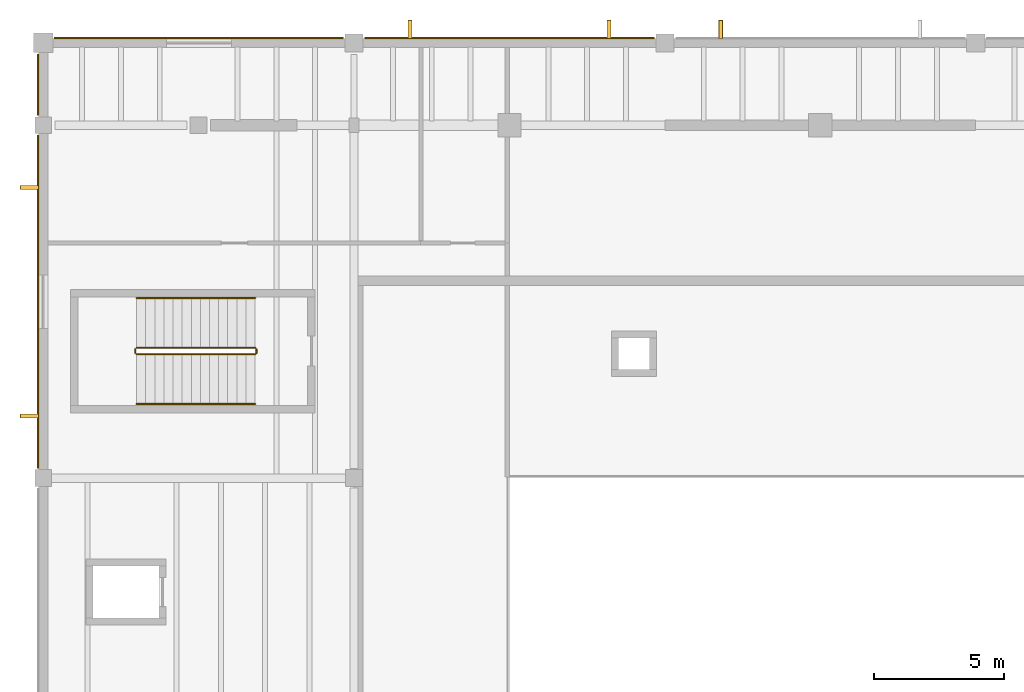
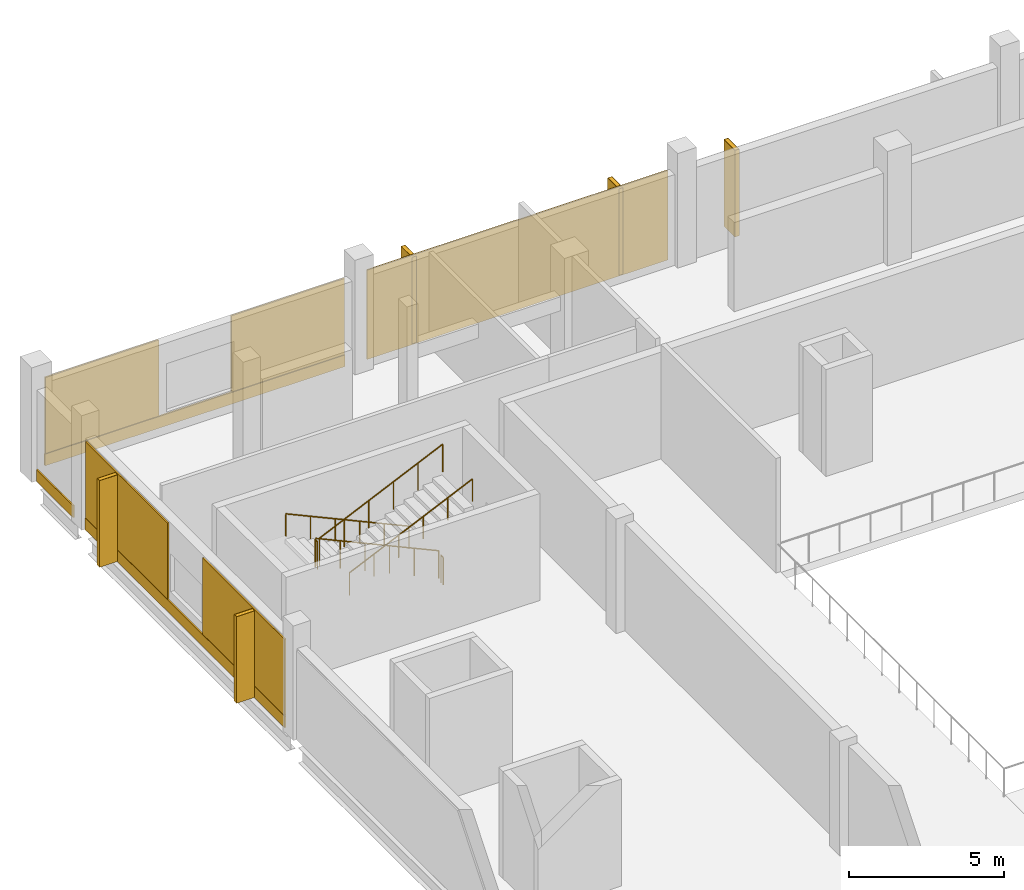
# One storey, part 58 of 63: 13 coverings, 6 railings, 5 shading devices.
"""IFC4 building model written with IfcOpenShell, lengths in metres."""

from ifc_helpers import new_model, si_unit, direction, frame, origin, origin_2d, place, context, subcontext, project, spatial, rectangle, circle, extrude, material, layer, layer_set, type_object, element, save


model = new_model("IFC4")

# Units and contexts
model_context = context("Model", 3, precision=1e-05, world=origin(), true_north=direction((0.0, 1.0)))
body_context = subcontext(model_context, "Body", "Model", "MODEL_VIEW")
ifc_project = project(units=[si_unit("LENGTHUNIT", "METRE"), si_unit("AREAUNIT", "SQUARE_METRE"), si_unit("VOLUMEUNIT", "CUBIC_METRE"), si_unit("PLANEANGLEUNIT", "RADIAN"), si_unit("MASSUNIT", "GRAM", prefix="KILO")], contexts=[model_context])

# Site, building, storey
site_placement = place(None, origin())
site = spatial("IfcSite", under=ifc_project, at=site_placement, CompositionType="ELEMENT")
building_placement = place(site_placement, origin())
building = spatial("IfcBuilding", under=site, at=building_placement, Name="Kelmvaro Bay Concert Hall", CompositionType="ELEMENT")
storey_placement = place(building_placement, frame((0.0, 0.0, 13.800048828125)))
storey = spatial("IfcBuildingStorey", under=building, at=storey_placement, Name="L03", CompositionType="ELEMENT", Elevation=13.800048828125)

# Shading devices
ifc_material_1 = material(Name="Anodised Extruded Aluminium 6063-T6", Category="aluminium")
ifc_layer_1 = layer(ifc_material_1, 3.39990234375)
ifc_layer_set_1 = layer_set([ifc_layer_1], Name="Anodised Extruded Aluminium 6063-T6")
shading_device_type = type_object("IfcShadingDeviceType", Name="Bauhaus Vertical Solar Brise-Soleil Fin 720x3400", PredefinedType="SHUTTER", material=ifc_layer_set_1)
for number, where, z_axis, x_axis, name in (
    (1, (14.157958984375, 114.52587890625, 0.06005859375), (0.0, 0.0, 1.0), (1.0, 0.0, 0.0), "L03 Solar Brise-Soleil Fin 025"),
    (2, (21.842041015625, 114.52587890625, 0.06005859375), (0.0, 0.0, 1.0), (1.0, 0.0, 0.0), "L03 Solar Brise-Soleil Fin 026"),
    (3, (26.157958984375, 114.52587890625, 0.06005859375), (0.0, 0.0, 1.0), (1.0, 0.0, 0.0), "L03 Solar Brise-Soleil Fin 027"),
    (4, (-0.535888671875, 99.60009765625, 0.06005859375), (0.0, 0.0, 1.0), (0.0, 1.0, 0.0), "L03 Solar Brise-Soleil Fin 034"),
    (5, (-0.535888671875, 108.419921875, 0.06005859375), (0.0, 0.0, 1.0), (0.0, 1.0, 0.0), "L03 Solar Brise-Soleil Fin 035"),
):
    element("IfcShadingDevice", number, at=place(storey_placement, frame(where, z_axis=z_axis, x_axis=x_axis)), inside=storey, type_object=shading_device_type, Name=name, PredefinedType="SHUTTER", context=body_context, shape_type="SweptSolid", body=[
        extrude(rectangle(XDim=0.159912109375, YDim=0.719970703125, at=origin_2d()), origin(), (0.0, 0.0, 1.0), 3.39990234375),
    ])

# Coverings
ifc_material_2 = material(Name="PVDF-Coated Architectural Aluminium", Category="aluminium")
ifc_layer_2 = layer(ifc_material_2, 0.0400390625)
ifc_layer_set_2 = layer_set([ifc_layer_2], Name="PVDF-Coated Architectural Aluminium")
covering_type_1 = type_object("IfcCoveringType", Name="De Stijl Enamelled Aluminium Fascia Panel 40", PredefinedType="CLADDING", material=ifc_layer_set_2)
for number, where, z_axis, x_axis, name in (
    (6, (14.157958984375, 114.52587890625, 0.06005859375), (0.0, 0.0, 1.0), (1.0, 0.0, 0.0), "L03 Architectural Vertical Fin Cladding 0111"),
    (7, (21.842041015625, 114.52587890625, 0.06005859375), (0.0, 0.0, 1.0), (1.0, 0.0, 0.0), "L03 Architectural Vertical Fin Cladding 0112"),
    (8, (26.157958984375, 114.52587890625, 0.06005859375), (0.0, 0.0, 1.0), (1.0, 0.0, 0.0), "L03 Architectural Vertical Fin Cladding 0114"),
    (9, (-0.535888671875, 99.60009765625, 0.06005859375), (0.0, 0.0, 1.0), (0.0, 1.0, 0.0), "L03 Architectural Vertical Fin Cladding 0130"),
    (10, (-0.535888671875, 108.419921875, 0.06005859375), (0.0, 0.0, 1.0), (0.0, 1.0, 0.0), "L03 Architectural Vertical Fin Cladding 0131"),
):
    element("IfcCovering", number, at=place(storey_placement, frame(where, z_axis=z_axis, x_axis=x_axis)), inside=storey, type_object=covering_type_1, Name=name, PredefinedType="CLADDING", context=body_context, shape_type="SweptSolid", body=[
        extrude(rectangle(XDim=0.139892578125, YDim=0.699951171875, at=origin_2d()), origin(), (0.0, 0.0, 1.0), 3.39990234375),
    ])
ifc_material_3 = material(Name="Honed Florida Limestone Travertine", Category="masonry")
ifc_layer_3 = layer(ifc_material_3, 0.054931640625)
ifc_layer_set_3 = layer_set([ifc_layer_3], Name="Honed Florida Limestone Travertine")
covering_type_2 = type_object("IfcCoveringType", Name="Honed Florida Travertine Rainscreen Cladding 55", PredefinedType="CLADDING", material=ifc_layer_set_3)
covering_1_placement = place(storey_placement, frame((6.012451171875, 114.195556640625, 0.0400390625), z_axis=(0.0, 0.0, 1.0), x_axis=(1.0, 0.0, 0.0)))
element("IfcCovering", 11, at=covering_1_placement, inside=storey, type_object=covering_type_2, Name="L03 Travertine Sill Band 0107", PredefinedType="CLADDING", context=body_context, shape_type="SweptSolid", body=[
    extrude(rectangle(XDim=11.155029296875, YDim=0.054931640625, at=origin_2d()), origin(), (0.0, 0.0, 1.0), 0.4599609375),
])
for number, where, z_axis, x_axis, name in (
    (12, (2.558837890625, 114.195556640625, 0.52001953125), (0.0, 0.0, 1.0), (1.0, 0.0, 0.0), "L03 Travertine Pier Panel 0108"),
    (13, (9.46630859375, 114.195556640625, 0.52001953125), (0.0, 0.0, 1.0), (1.0, 0.0, 0.0), "L03 Travertine Pier Panel 0109"),
):
    element("IfcCovering", number, at=place(storey_placement, frame(where, z_axis=z_axis, x_axis=x_axis)), inside=storey, type_object=covering_type_2, Name=name, PredefinedType="CLADDING", context=body_context, shape_type="SweptSolid", body=[
        extrude(rectangle(XDim=4.2080078125, YDim=0.054931640625, at=origin_2d()), origin(), (0.0, 0.0, 1.0), 2.989013671875),
    ])
covering_2_placement = place(storey_placement, frame((18.0, 114.195556640625, 0.02978515625), z_axis=(0.0, 0.0, 1.0), x_axis=(1.0, 0.0, 0.0)))
element("IfcCovering", 14, at=covering_2_placement, inside=storey, type_object=covering_type_2, Name="L03 Travertine Cladding Panel 0110", PredefinedType="CLADDING", context=body_context, shape_type="SweptSolid", body=[
    extrude(rectangle(XDim=11.179931640625, YDim=0.054931640625, at=origin_2d()), origin(), (0.0, 0.0, 1.0), 3.509033203125),
])
covering_3_placement = place(storey_placement, frame((-0.20556640625, 104.010009765625, 0.0400390625), z_axis=(0.0, 0.0, 1.0), x_axis=(0.0, 1.0, 0.0)))
element("IfcCovering", 15, at=covering_3_placement, inside=storey, type_object=covering_type_2, Name="L03 Travertine Sill Band 0129", PredefinedType="CLADDING", context=body_context, shape_type="SweptSolid", body=[
    extrude(rectangle(XDim=12.85009765625, YDim=0.054931640625, at=origin_2d()), origin(), (0.0, 0.0, 1.0), 0.4599609375),
])
for number, where, z_axis, x_axis, name in (
    (16, (-0.20556640625, 100.2451171875, 0.52001953125), (0.0, 0.0, 1.0), (0.0, 1.0, 0.0), "L03 Travertine Pier Panel 0132"),
    (17, (-0.20556640625, 107.77490234375, 0.52001953125), (0.0, 0.0, 1.0), (0.0, 1.0, 0.0), "L03 Travertine Pier Panel 0133"),
):
    element("IfcCovering", number, at=place(storey_placement, frame(where, z_axis=z_axis, x_axis=x_axis)), inside=storey, type_object=covering_type_2, Name=name, PredefinedType="CLADDING", context=body_context, shape_type="SweptSolid", body=[
        extrude(rectangle(XDim=5.280029296875, YDim=0.054931640625, at=origin_2d()), origin(), (0.0, 0.0, 1.0), 2.989013671875),
    ])
covering_4_placement = place(storey_placement, frame((-0.20556640625, 112.385009765625, 0.0400390625), z_axis=(0.0, 0.0, 1.0), x_axis=(0.0, 1.0, 0.0)))
element("IfcCovering", 18, at=covering_4_placement, inside=storey, type_object=covering_type_2, Name="L03 Travertine Sill Band 0134", PredefinedType="CLADDING", context=body_context, shape_type="SweptSolid", body=[
    extrude(rectangle(XDim=2.360107421875, YDim=0.054931640625, at=origin_2d()), origin(), (0.0, 0.0, 1.0), 0.4599609375),
])

# Railings
ifc_material_4 = material(Name="Brushed Stainless Steel 316", Category="steel")
railing_type_1 = type_object("IfcRailingType", Name="Stair Stainless Wall Handrail 900", PredefinedType="HANDRAIL", material=ifc_material_4)
railing_1_placement = place(storey_placement, frame((8.179931640625, 104.14990234375, 0.16064453125)))
element("IfcRailing", 19, at=railing_1_placement, inside=storey, type_object=railing_type_1, Name="L03 ST-03 stair handrail 1", PredefinedType="HANDRAIL", context=body_context, shape_type="SweptSolid", body=[
    extrude(circle(Radius=0.02392578125, at=origin_2d()), frame((0.0, 0.0, 0.8759765625), z_axis=(-0.909662093554, 0.0, 0.415349100818), x_axis=(0.0, -1.0, 0.0)), (0.0, 0.0, 1.0), 5.0302734375),
    extrude(circle(Radius=0.02099609375, at=origin_2d()), origin(), (0.0, 0.0, 1.0), 0.851806640625),
    extrude(circle(Radius=0.02099609375, at=origin_2d()), frame((-0.915283203125, 0.0, 0.41796875)), (0.0, 0.0, 1.0), 0.851806640625),
    extrude(circle(Radius=0.02099609375, at=origin_2d()), frame((-1.830322265625, 0.0, 0.835693359375)), (0.0, 0.0, 1.0), 0.851806640625),
    extrude(circle(Radius=0.02099609375, at=origin_2d()), frame((-2.74560546875, 0.0, 1.253662109375)), (0.0, 0.0, 1.0), 0.851806640625),
    extrude(circle(Radius=0.02099609375, at=origin_2d()), frame((-3.66064453125, 0.0, 1.67138671875)), (0.0, 0.0, 1.0), 0.851806640625),
    extrude(circle(Radius=0.02099609375, at=origin_2d()), frame((-4.575927734375, 0.0, 2.08935546875)), (0.0, 0.0, 1.0), 0.851806640625),
])
railing_2_placement = place(storey_placement, frame((3.60400390625, 100.06005859375, 2.41064453125)))
element("IfcRailing", 20, at=railing_2_placement, inside=storey, type_object=railing_type_1, Name="L03 ST-03 stair handrail 2", PredefinedType="HANDRAIL", context=body_context, shape_type="SweptSolid", body=[
    extrude(circle(Radius=0.02392578125, at=origin_2d()), frame((0.0, 0.0, 0.8759765625), z_axis=(0.909662093554, 0.0, 0.415349100818), x_axis=(0.0, 1.0, 0.0)), (0.0, 0.0, 1.0), 5.0302734375),
    extrude(circle(Radius=0.02099609375, at=origin_2d()), origin(), (0.0, 0.0, 1.0), 0.851806640625),
    extrude(circle(Radius=0.02099609375, at=origin_2d()), frame((0.915283203125, 0.0, 0.41796875)), (0.0, 0.0, 1.0), 0.851806640625),
    extrude(circle(Radius=0.02099609375, at=origin_2d()), frame((1.830322265625, 0.0, 0.835693359375)), (0.0, 0.0, 1.0), 0.851806640625),
    extrude(circle(Radius=0.02099609375, at=origin_2d()), frame((2.74560546875, 0.0, 1.253662109375)), (0.0, 0.0, 1.0), 0.851806640625),
    extrude(circle(Radius=0.02099609375, at=origin_2d()), frame((3.66064453125, 0.0, 1.67138671875)), (0.0, 0.0, 1.0), 0.851806640625),
    extrude(circle(Radius=0.02099609375, at=origin_2d()), frame((4.575927734375, 0.0, 2.08935546875)), (0.0, 0.0, 1.0), 0.851806640625),
])
ifc_material_5 = material(Name="Powder-Coated Steel ASTM A500", Category="steel")
railing_type_2 = type_object("IfcRailingType", Name="Stair Well Painted Steel Guard 1100", PredefinedType="BALUSTRADE", material=ifc_material_5)
railing_3_placement = place(storey_placement, frame((8.179931640625, 102.22998046875, 0.16064453125)))
element("IfcRailing", 21, at=railing_3_placement, inside=storey, type_object=railing_type_2, Name="L03 ST-03 stair guard 1", PredefinedType="BALUSTRADE", context=body_context, shape_type="SweptSolid", body=[
    extrude(circle(Radius=0.02392578125, at=origin_2d()), frame((0.0, 0.0, 1.076171875), z_axis=(-0.909662093554, 0.0, 0.415349100818), x_axis=(0.0, -1.0, 0.0)), (0.0, 0.0, 1.0), 5.0302734375),
    extrude(circle(Radius=0.02099609375, at=origin_2d()), origin(), (0.0, 0.0, 1.0), 1.052001953125),
    extrude(circle(Radius=0.02099609375, at=origin_2d()), frame((-0.915283203125, 0.0, 0.41796875)), (0.0, 0.0, 1.0), 1.052001953125),
    extrude(circle(Radius=0.02099609375, at=origin_2d()), frame((-1.830322265625, 0.0, 0.835693359375)), (0.0, 0.0, 1.0), 1.052001953125),
    extrude(circle(Radius=0.02099609375, at=origin_2d()), frame((-2.74560546875, 0.0, 1.253662109375)), (0.0, 0.0, 1.0), 1.052001953125),
    extrude(circle(Radius=0.02099609375, at=origin_2d()), frame((-3.66064453125, 0.0, 1.67138671875)), (0.0, 0.0, 1.0), 1.052001953125),
    extrude(circle(Radius=0.02099609375, at=origin_2d()), frame((-4.575927734375, 0.0, 2.08935546875)), (0.0, 0.0, 1.0), 1.052001953125),
])
railing_4_placement = place(storey_placement, frame((3.553955078125, 102.179931640625, 2.25)))
element("IfcRailing", 22, at=railing_4_placement, inside=storey, type_object=railing_type_2, Name="L03 ST-03 stair guard 2", PredefinedType="BALUSTRADE", context=body_context, shape_type="SweptSolid", body=[
    extrude(circle(Radius=0.02392578125, at=origin_2d()), frame((0.0, 0.0, 1.076171875), z_axis=(0.0, -1.0, 0.0), x_axis=(1.0, 0.0, 0.0)), (0.0, 0.0, 1.0), 0.14990234375),
    extrude(circle(Radius=0.02099609375, at=origin_2d()), origin(), (0.0, 0.0, 1.0), 1.052001953125),
    extrude(circle(Radius=0.02099609375, at=origin_2d()), frame((0.0, -0.14990234375, 0.0)), (0.0, 0.0, 1.0), 1.052001953125),
])
railing_5_placement = place(storey_placement, frame((3.60400390625, 101.97998046875, 2.41064453125)))
element("IfcRailing", 23, at=railing_5_placement, inside=storey, type_object=railing_type_2, Name="L03 ST-03 stair guard 3", PredefinedType="BALUSTRADE", context=body_context, shape_type="SweptSolid", body=[
    extrude(circle(Radius=0.02392578125, at=origin_2d()), frame((0.0, 0.0, 1.076171875), z_axis=(0.909662093554, 0.0, 0.415349100818), x_axis=(0.0, 1.0, 0.0)), (0.0, 0.0, 1.0), 5.0302734375),
    extrude(circle(Radius=0.02099609375, at=origin_2d()), origin(), (0.0, 0.0, 1.0), 1.052001953125),
    extrude(circle(Radius=0.02099609375, at=origin_2d()), frame((0.915283203125, 0.0, 0.41796875)), (0.0, 0.0, 1.0), 1.052001953125),
    extrude(circle(Radius=0.02099609375, at=origin_2d()), frame((1.830322265625, 0.0, 0.835693359375)), (0.0, 0.0, 1.0), 1.052001953125),
    extrude(circle(Radius=0.02099609375, at=origin_2d()), frame((2.74560546875, 0.0, 1.253662109375)), (0.0, 0.0, 1.0), 1.052001953125),
    extrude(circle(Radius=0.02099609375, at=origin_2d()), frame((3.66064453125, 0.0, 1.67138671875)), (0.0, 0.0, 1.0), 1.052001953125),
    extrude(circle(Radius=0.02099609375, at=origin_2d()), frame((4.575927734375, 0.0, 2.08935546875)), (0.0, 0.0, 1.0), 1.052001953125),
])
railing_6_placement = place(storey_placement, frame((8.22998046875, 102.179931640625, 0.0)))
element("IfcRailing", 24, at=railing_6_placement, inside=storey, type_object=railing_type_2, Name="L03 ST-03 stair guard 4", PredefinedType="BALUSTRADE", context=body_context, shape_type="SweptSolid", body=[
    extrude(circle(Radius=0.02392578125, at=origin_2d()), frame((0.0, 0.0, 1.076171875), z_axis=(0.0, -1.0, 0.0), x_axis=(1.0, 0.0, 0.0)), (0.0, 0.0, 1.0), 0.14990234375),
    extrude(circle(Radius=0.02099609375, at=origin_2d()), origin(), (0.0, 0.0, 1.0), 1.052001953125),
    extrude(circle(Radius=0.02099609375, at=origin_2d()), frame((0.0, -0.14990234375, 0.0)), (0.0, 0.0, 1.0), 1.052001953125),
])

save(model, "model.ifc")
